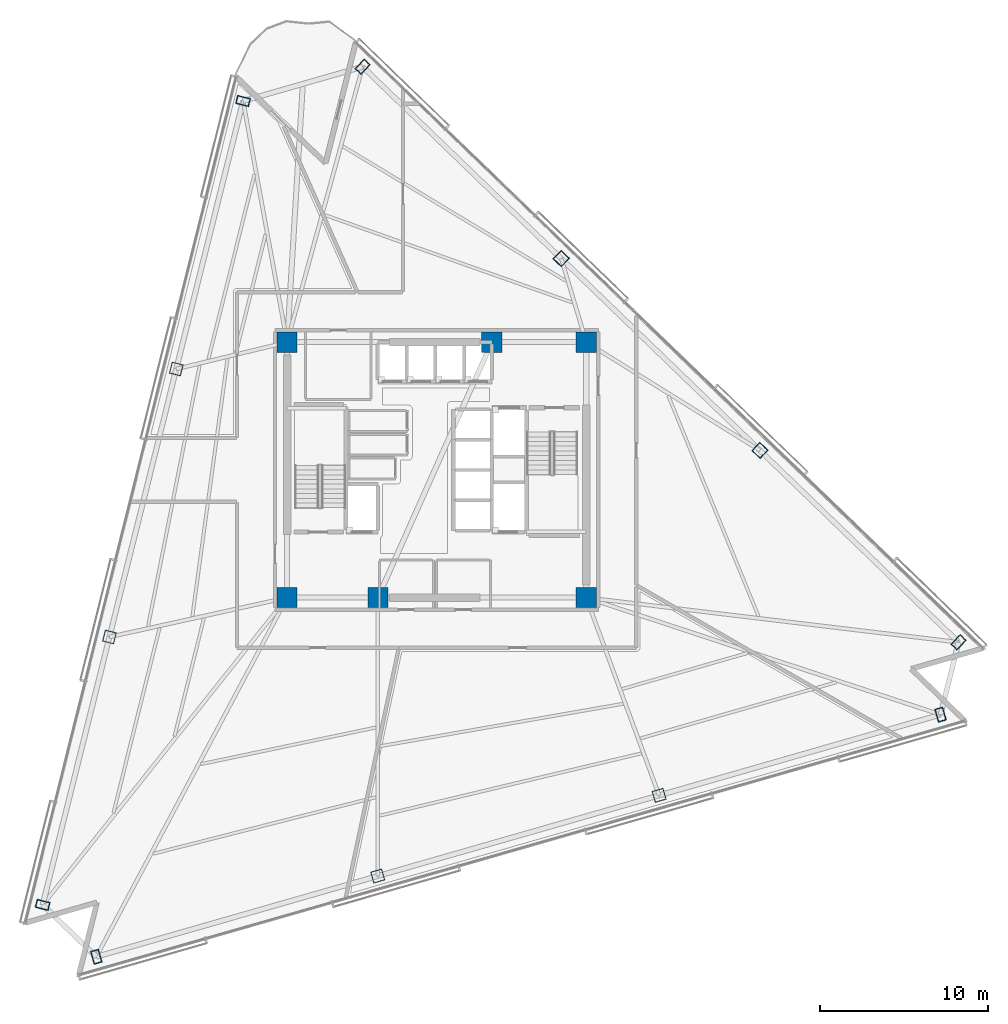
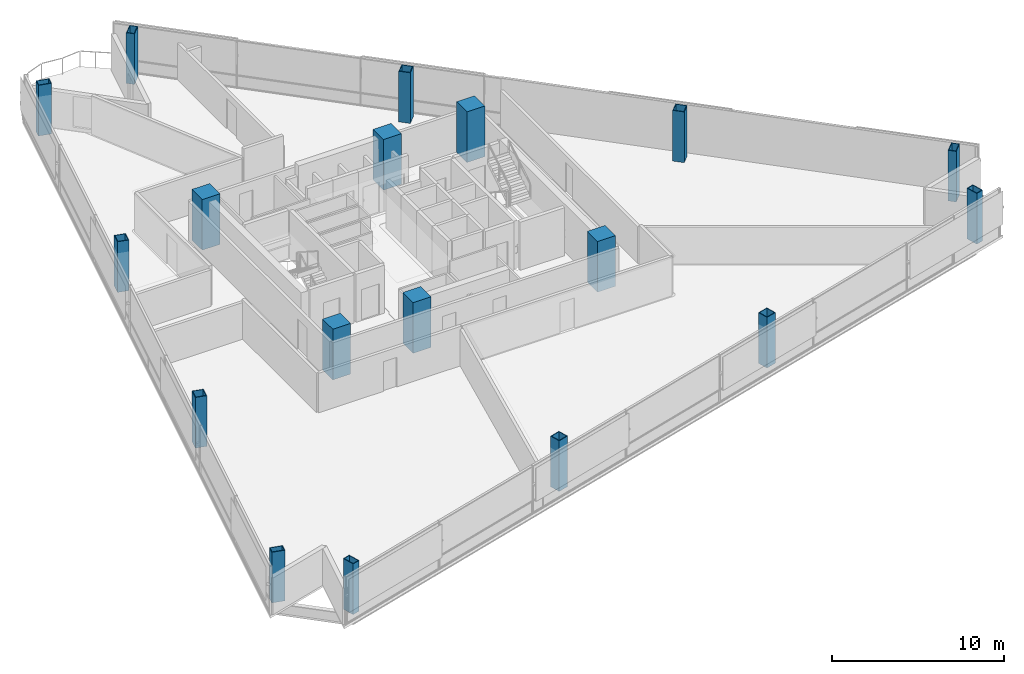
# One storey, part 1 of 16: 18 columns.
"""IFC4 building model written with IfcOpenShell, lengths in metres."""

from ifc_helpers import new_model, si_unit, direction, frame, origin, origin_2d, place, context, subcontext, project, spatial, rectangle, hollow_rectangle, extrude, material, material_profile, profile_set, type_object, element, save


model = new_model("IFC4")

# Units and contexts
model_context = context("Model", 3, precision=1e-05, world=origin(), true_north=direction((0.0, 1.0)))
body_context = subcontext(model_context, "Body", "Model", "MODEL_VIEW")
ifc_project = project(units=[si_unit("LENGTHUNIT", "METRE"), si_unit("AREAUNIT", "SQUARE_METRE"), si_unit("VOLUMEUNIT", "CUBIC_METRE"), si_unit("PLANEANGLEUNIT", "RADIAN"), si_unit("MASSUNIT", "GRAM", prefix="KILO")], contexts=[model_context])

# Site, building, storey
site_placement = place(None, origin())
site = spatial("IfcSite", under=ifc_project, at=site_placement, CompositionType="ELEMENT")
building_placement = place(site_placement, origin())
building = spatial("IfcBuilding", under=site, at=building_placement, Name="Tharavind Bronze Gate", CompositionType="ELEMENT")
storey_placement = place(building_placement, frame((0.0, 0.0, 104.10009765625)))
storey = spatial("IfcBuildingStorey", under=building, at=storey_placement, Name="L26", CompositionType="ELEMENT", Elevation=104.10009765625)

# Columns
ifc_material_1 = material(Name="Steel S460", Category="steel")
ifc_material_profile_1 = material_profile(ifc_material_1, hollow_rectangle(XDim=0.5, YDim=0.800048828125, WallThickness=0.0400390625, at=origin_2d()), Name="RHS800X500X40")
ifc_profile_set_1 = profile_set([ifc_material_profile_1], Name="Steel S460")
column_type_1 = type_object("IfcColumnType", Name="CORNER NOTCH COLUMN RHS800X500", PredefinedType="COLUMN", material=ifc_profile_set_1)
for number, where, z_axis, x_axis, name in (
    (1, (-11.520263671875, 21.952392578125, 0.0), (0.0, 0.0, 1.0), (0.2419218956, 0.970295726276, 0.0), "L26 perimeter column S1C1"),
    (2, (-23.447265625, -25.884521484375, 0.0), (0.0, 0.0, 1.0), (0.2419218956, 0.970295726276, 0.0), "L26 perimeter column S1C4"),
    (3, (-20.25341796875, -28.96875, 0.0), (0.0, 0.0, 1.0), (0.961261695938, 0.275637355817, 0.0), "L26 perimeter column S2C1"),
    (4, (29.9833984375, -14.563720703125, 0.0), (0.0, 0.0, 1.0), (0.961261695938, 0.275637355817, 0.0), "L26 perimeter column S2C4"),
    (5, (31.0576171875, -10.255615234375, 0.0), (0.0, 0.0, 1.0), (-0.719339800339, 0.694658370459, 0.0), "L26 perimeter column S3C1"),
    (6, (-4.406982421875, 23.9921875, 0.0), (0.0, 0.0, 1.0), (-0.719339800339, 0.694658370459, 0.0), "L26 perimeter column S3C4"),
):
    element("IfcColumn", number, at=place(storey_placement, frame(where, z_axis=z_axis, x_axis=x_axis)), inside=storey, type_object=column_type_1, Name=name, PredefinedType="COLUMN", context=body_context, shape_type="SweptSolid", body=[
        extrude(hollow_rectangle(XDim=0.5, YDim=0.800048828125, WallThickness=0.0400390625, at=origin_2d()), origin(), (0.0, 0.0, 1.0), 3.599853515625),
    ])
ifc_material_2 = material(Name="Concrete C60/75", Category="concrete")
ifc_material_profile_2 = material_profile(ifc_material_2, rectangle(XDim=1.199951171875, YDim=1.199951171875, at=origin_2d()), Name="RCCOL1200")
ifc_profile_set_2 = profile_set([ifc_material_profile_2], Name="Concrete C60/75")
column_type_2 = type_object("IfcColumnType", Name="MEGA CORE COLUMN 1200", PredefinedType="COLUMN", material=ifc_profile_set_2)
for number, where, z_axis, x_axis, name in (
    (7, (-8.89990234375, -7.60009765625, 0.0), (0.0, 0.0, 1.0), (1.0, 0.0, 0.0), "L26 core mega column MC1"),
    (8, (-3.5, -7.60009765625, 0.0), (0.0, 0.0, 1.0), (1.0, 0.0, 0.0), "L26 core mega column MC2"),
    (9, (8.89990234375, -7.60009765625, 0.0), (0.0, 0.0, 1.0), (1.0, 0.0, 0.0), "L26 core mega column MC3"),
    (10, (8.89990234375, 7.60009765625, 0.0), (0.0, 0.0, 1.0), (1.0, 0.0, 0.0), "L26 core mega column MC4"),
    (11, (3.280029296875, 7.60009765625, 0.0), (0.0, 0.0, 1.0), (1.0, 0.0, 0.0), "L26 core mega column MC5"),
    (12, (-8.89990234375, 7.60009765625, 0.0), (0.0, 0.0, 1.0), (1.0, 0.0, 0.0), "L26 core mega column MC6"),
):
    element("IfcColumn", number, at=place(storey_placement, frame(where, z_axis=z_axis, x_axis=x_axis)), inside=storey, type_object=column_type_2, Name=name, PredefinedType="COLUMN", context=body_context, shape_type="SweptSolid", body=[
        extrude(rectangle(XDim=1.199951171875, YDim=1.199951171875, at=origin_2d()), origin(), (0.0, 0.0, 1.0), 3.599853515625),
    ])
ifc_material_profile_3 = material_profile(ifc_material_1, hollow_rectangle(XDim=0.699951171875, YDim=0.699951171875, WallThickness=0.0400390625, at=origin_2d()), Name="SHS700X40")
ifc_profile_set_3 = profile_set([ifc_material_profile_3], Name="Steel S460")
column_type_3 = type_object("IfcColumnType", Name="PERIMETER BOX COLUMN SHS700", PredefinedType="COLUMN", material=ifc_profile_set_3)
for number, where, z_axis, x_axis, name in (
    (13, (-15.495849609375, 6.006591796875, 0.0), (0.0, 0.0, 1.0), (0.2419218956, 0.970295726276, 0.0), "L26 perimeter column S1C2"),
    (14, (-19.4716796875, -9.93896484375, 0.0), (0.0, 0.0, 1.0), (0.2419218956, 0.970295726276, 0.0), "L26 perimeter column S1C3"),
    (15, (-3.5078125, -24.1669921875, 0.0), (0.0, 0.0, 1.0), (0.961261695938, 0.275637355817, 0.0), "L26 perimeter column S2C2"),
    (16, (13.23779296875, -19.365234375, 0.0), (0.0, 0.0, 1.0), (0.961261695938, 0.275637355817, 0.0), "L26 perimeter column S2C3"),
    (17, (19.236083984375, 1.160400390625, 0.0), (0.0, 0.0, 1.0), (-0.719339800339, 0.694658370459, 0.0), "L26 perimeter column S3C2"),
    (18, (7.41455078125, 12.576171875, 0.0), (0.0, 0.0, 1.0), (-0.719339800339, 0.694658370459, 0.0), "L26 perimeter column S3C3"),
):
    element("IfcColumn", number, at=place(storey_placement, frame(where, z_axis=z_axis, x_axis=x_axis)), inside=storey, type_object=column_type_3, Name=name, PredefinedType="COLUMN", context=body_context, shape_type="SweptSolid", body=[
        extrude(hollow_rectangle(XDim=0.699951171875, YDim=0.699951171875, WallThickness=0.0400390625, at=origin_2d()), origin(), (0.0, 0.0, 1.0), 3.599853515625),
    ])

save(model, "model.ifc")
